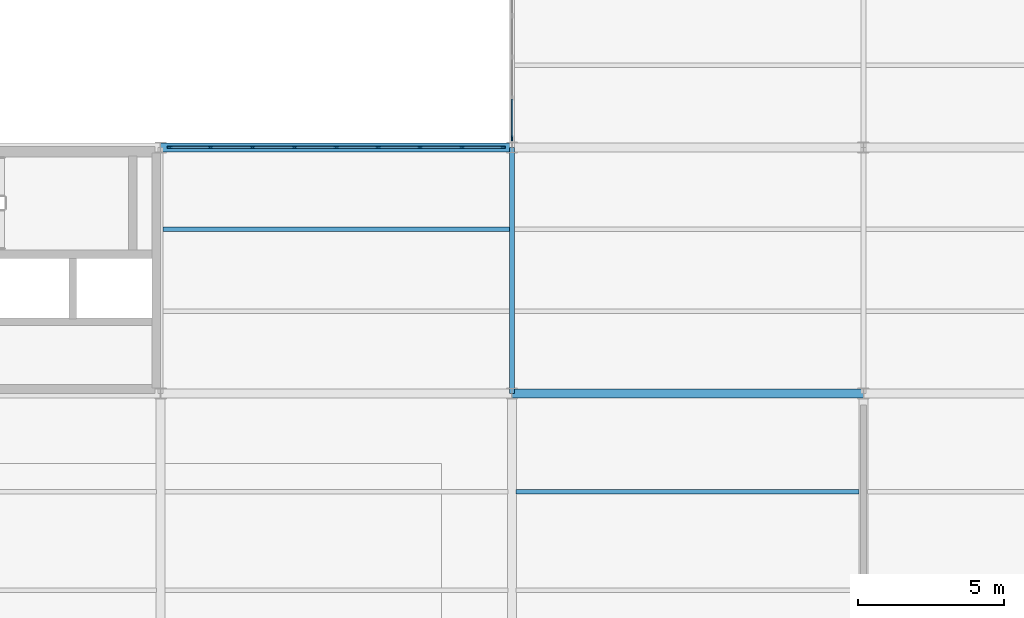
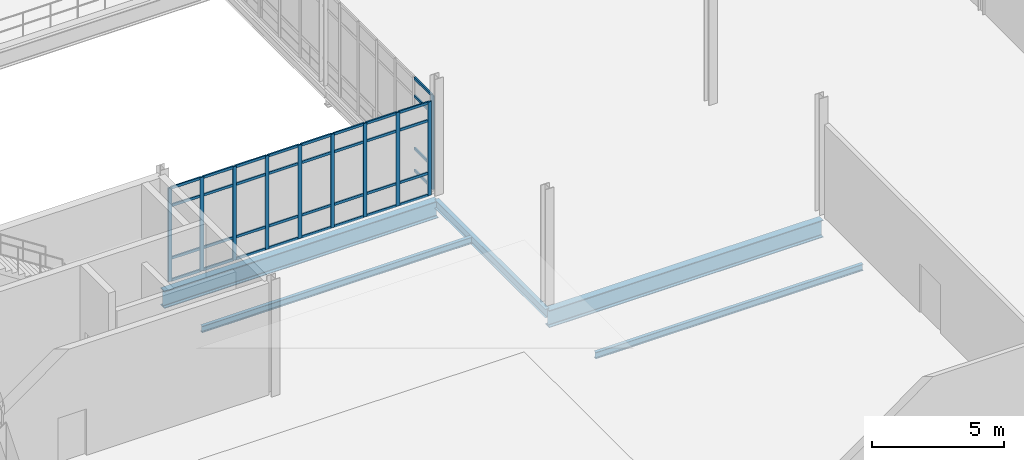
# One storey, part 65 of 111: 46 members, 5 beams, 2 elements without a shape of their own.
"""IFC4 building model written with IfcOpenShell, lengths in metres."""

import ifcopenshell
import ifcopenshell.guid

model = None  # the IFC model being written
_history = None  # IfcOwnerHistory: only IFC2X3 demands one
_inside = {}  # id of a spatial element -> (the spatial element, [elements in it])
_under = {}  # id of a project, library or spatial element -> (it, [spatial elements below it])
_declared = {}  # id of a project -> (the project, [libraries it declares])
_typed = {}  # id of a type object -> (the type object, [elements of that type])
_made_of = {}  # id of a material, layer set ... -> (it, [elements and type objects made of it])


def new_model(schema):
    """Start an empty IFC model of exactly this schema.

    Asked for "IFC4X3", IfcOpenShell would pick the latest addendum, in which some entities
    have other attributes; the version numbers below select the first issue.
    IFC2X3 requires an IfcOwnerHistory on every rooted entity: one is made here for all.
    """
    global model, _history
    if schema == "IFC4X3":
        model = ifcopenshell.file(schema_version=(4, 3, 0, 0))
    else:
        model = ifcopenshell.file(schema=schema)
    _inside.clear()
    _under.clear()
    _declared.clear()
    _typed.clear()
    _made_of.clear()
    _history = None
    if model.schema == "IFC2X3":
        org = make("IfcOrganization", Name="unknown")
        user = make(
            "IfcPersonAndOrganization",
            ThePerson=make("IfcPerson", FamilyName="unknown"),
            TheOrganization=org,
        )
        app = make(
            "IfcApplication",
            ApplicationDeveloper=org,
            Version="unknown",
            ApplicationFullName="unknown",
            ApplicationIdentifier="unknown",
        )
        _history = make(
            "IfcOwnerHistory",
            OwningUser=user,
            OwningApplication=app,
            ChangeAction="ADDED",
            CreationDate=0,
        )
    return model


def make(cls, **values):
    """One entity of the class cls with the attributes given. An attribute that is None is left unset."""
    return model.create_entity(
        cls, **{name: value for name, value in values.items() if value is not None}
    )


def rooted(cls, **values):
    """An entity with a GlobalId (a new one), such as an element, a storey or a relation."""
    return make(cls, GlobalId=ifcopenshell.guid.new(), OwnerHistory=_history, **values)


def si_unit(unit_type, name, prefix=None):
    """IfcSIUnit, for example si_unit("LENGTHUNIT", "METRE", prefix="MILLI")."""
    return make("IfcSIUnit", UnitType=unit_type, Prefix=prefix, Name=name)


def assignment(units):
    """IfcUnitAssignment: the units of a project."""
    return None if units is None else make("IfcUnitAssignment", Units=units)


def point(xyz):
    """IfcCartesianPoint."""
    return None if xyz is None else make("IfcCartesianPoint", Coordinates=xyz)


def direction(xyz):
    """IfcDirection."""
    return None if xyz is None else make("IfcDirection", DirectionRatios=xyz)


def frame(location, z_axis=None, x_axis=None):
    """IfcAxis2Placement3D, a coordinate frame: its origin and axes. An axis left out is left unset."""
    return make(
        "IfcAxis2Placement3D",
        Location=point(location),
        Axis=direction(z_axis),
        RefDirection=direction(x_axis),
    )


def frame_2d(location, x_axis=None):
    """IfcAxis2Placement2D, a coordinate frame in the plane: its origin and x axis."""
    return make(
        "IfcAxis2Placement2D", Location=point(location), RefDirection=direction(x_axis)
    )


def origin():
    """The frame at (0, 0, 0) with its axes left unset."""
    return frame((0.0, 0.0, 0.0))


def origin_2d():
    """The frame at (0, 0) in the plane with its x axis left unset."""
    return frame_2d((0.0, 0.0))


def place(relative_to, where):
    """IfcLocalPlacement: puts the frame where relative to a parent placement (None: the world)."""
    return make(
        "IfcLocalPlacement", PlacementRelTo=relative_to, RelativePlacement=where
    )


def context(
    kind, dimensions, precision=None, world=None, true_north=None, identifier=None
):
    """IfcGeometricRepresentationContext, for example the 3D "Model" context."""
    return make(
        "IfcGeometricRepresentationContext",
        ContextIdentifier=identifier,
        ContextType=kind,
        CoordinateSpaceDimension=dimensions,
        Precision=precision,
        WorldCoordinateSystem=world,
        TrueNorth=true_north,
    )


def subcontext(parent, identifier, kind, view, scale=None):
    """IfcGeometricRepresentationSubContext, for example "Body" below "Model"."""
    return make(
        "IfcGeometricRepresentationSubContext",
        ContextIdentifier=identifier,
        ContextType=kind,
        ParentContext=parent,
        TargetScale=scale,
        TargetView=view,
    )


def project(units=None, contexts=None):
    """IfcProject with its units and contexts."""
    return rooted(
        "IfcProject",
        Name="project",
        RepresentationContexts=contexts,
        UnitsInContext=assignment(units),
    )


def spatial(cls, under=None, at=None, **own):
    """A site, building, storey or space (cls), placed at a placement, below another one or the project."""
    s = rooted(cls, ObjectPlacement=at, **own)
    if under is not None:
        _under.setdefault(under.id(), (under, []))[1].append(s)
    return s


def profile(cls, at=None, kind="AREA", **sizes):
    """A parametric profile (cls). Its sizes go by their IFC names, for example OverallWidth=200.0."""
    return make(cls, ProfileType=kind, Position=at, **sizes)


def rectangle(**sizes):
    """IfcRectangleProfileDef."""
    return profile("IfcRectangleProfileDef", **sizes)


def i_section(**sizes):
    """IfcIShapeProfileDef."""
    return profile("IfcIShapeProfileDef", **sizes)


def extrude(swept, where, along, depth):
    """IfcExtrudedAreaSolid: the profile swept, set in the frame where, extruded along a direction by depth."""
    return make(
        "IfcExtrudedAreaSolid",
        SweptArea=swept,
        Position=where,
        ExtrudedDirection=direction(along),
        Depth=depth,
    )


def shape(context_of_items, identifier, shape_type, items):
    """IfcShapeRepresentation: the items that make up one representation, for example the "Body"."""
    return make(
        "IfcShapeRepresentation",
        ContextOfItems=context_of_items,
        RepresentationIdentifier=identifier,
        RepresentationType=shape_type,
        Items=items,
    )


def material(Name=None, Category=None):
    """IfcMaterial."""
    return make("IfcMaterial", Name=Name, Category=Category)


def layer(
    of_material, thickness, ventilated=None, Name=None, Category=None, Priority=None
):
    """IfcMaterialLayer: one layer of a wall or slab, of a material (None: an air gap)."""
    return make(
        "IfcMaterialLayer",
        Material=of_material,
        LayerThickness=thickness,
        IsVentilated=ventilated,
        Name=Name,
        Category=Category,
        Priority=Priority,
    )


def layer_set(layers, Name=None):
    """IfcMaterialLayerSet."""
    return make("IfcMaterialLayerSet", MaterialLayers=layers, LayerSetName=Name)


def material_profile(
    of_material, cross_section, Name=None, Category=None, Priority=None
):
    """IfcMaterialProfile: a cross section and its material."""
    return make(
        "IfcMaterialProfile",
        Name=Name,
        Material=of_material,
        Profile=cross_section,
        Priority=Priority,
        Category=Category,
    )


def profile_set(profiles, Name=None, composite=None):
    """IfcMaterialProfileSet."""
    return make(
        "IfcMaterialProfileSet",
        Name=Name,
        MaterialProfiles=profiles,
        CompositeProfile=composite,
    )


def made_of(thing, what):
    """Note that an element or type object is made of a material, layer set ...; save() writes the relation."""
    if what is not None:
        _made_of.setdefault(what.id(), (what, []))[1].append(thing)
    return thing


def type_object(cls, material=None, **own):
    """A type object (cls), such as IfcWallType, which elements share."""
    return made_of(rooted(cls, **own), material)


def element(
    cls,
    number,
    at=None,
    inside=None,
    cuts=None,
    type_object=None,
    material=None,
    context=None,
    identifier="Body",
    shape_type=None,
    held_by="IfcProductDefinitionShape",
    body=None,
    shapes=None,
    **own,
):
    """One element of the class cls, such as IfcWall. Its Tag is "e" and its number.

    at: its placement. inside: the storey or other place that contains it. cuts: it is an
    opening in that element (IfcRelVoidsElement). A single representation is given by context,
    identifier, shape_type and body (its items); several are given by shapes. held_by: the class
    of the entity that holds the representations. save() writes the other relations.
    """
    e = rooted(cls, Tag="e%d" % number, ObjectPlacement=at, **own)
    if body is not None:
        shapes = [shape(context, identifier, shape_type, body)]
    if shapes is not None:
        e.Representation = make(held_by, Representations=shapes)
    if inside is not None:
        _inside.setdefault(inside.id(), (inside, []))[1].append(e)
    if cuts is not None:
        rooted(
            "IfcRelVoidsElement", RelatingBuildingElement=cuts, RelatedOpeningElement=e
        )
    if type_object is not None:
        _typed.setdefault(type_object.id(), (type_object, []))[1].append(e)
    return made_of(e, material)


def aggregate(whole, parts):
    """IfcRelAggregates: a whole, such as a stair, and the parts it consists of."""
    return rooted("IfcRelAggregates", RelatingObject=whole, RelatedObjects=parts)


def save(model, path):
    """Write the relations noted so far, then the file.

    IfcRelAggregates (storeys below a building ...), IfcRelContainedInSpatialStructure (elements
    in a storey), IfcRelDefinesByType, IfcRelAssociatesMaterial and IfcRelDeclares: one each for
    every whole, place, type object, material and project.
    """
    for whole, parts in _under.values():
        aggregate(whole, parts)
    for where, things in _inside.values():
        rooted(
            "IfcRelContainedInSpatialStructure",
            RelatedElements=things,
            RelatingStructure=where,
        )
    for kind, things in _typed.values():
        rooted("IfcRelDefinesByType", RelatedObjects=things, RelatingType=kind)
    for what, things in _made_of.values():
        rooted("IfcRelAssociatesMaterial", RelatedObjects=things, RelatingMaterial=what)
    for by, libraries in _declared.values():
        rooted("IfcRelDeclares", RelatingContext=by, RelatedDefinitions=libraries)
    model.write(path)


model = new_model("IFC4")

# Units and contexts
model_context = context("Model", 3, precision=1e-05, world=origin(), true_north=direction((0.0, 1.0)))
body_context = subcontext(model_context, "Body", "Model", "MODEL_VIEW")
ifc_project = project(units=[si_unit("LENGTHUNIT", "METRE"), si_unit("AREAUNIT", "SQUARE_METRE"), si_unit("VOLUMEUNIT", "CUBIC_METRE"), si_unit("PLANEANGLEUNIT", "RADIAN"), si_unit("MASSUNIT", "GRAM", prefix="KILO"), si_unit("THERMODYNAMICTEMPERATUREUNIT", "KELVIN"), si_unit("POWERUNIT", "WATT")], contexts=[model_context])

# Site, building, storey
site_placement = place(None, origin())
site = spatial("IfcSite", under=ifc_project, at=site_placement, CompositionType="ELEMENT")
building_placement = place(site_placement, origin())
building = spatial("IfcBuilding", under=site, at=building_placement, Name="Tembeka Court Mobility Hub", CompositionType="ELEMENT")
storey_placement = place(building_placement, origin())
storey = spatial("IfcBuildingStorey", under=building, at=storey_placement, Name="L00", CompositionType="ELEMENT", Elevation=0.0)

# Beams
ifc_material_1 = material(Name="Steel S355", Category="steel")
ifc_material_profile_1 = material_profile(ifc_material_1, i_section(OverallWidth=0.177978515625, OverallDepth=0.406005859375, WebThickness=0.0078125, FlangeThickness=0.0126953125, FilletRadius=0.01025390625, at=origin_2d()), Name="UKB 406x178x60")
ifc_profile_set_1 = profile_set([ifc_material_profile_1], Name="Steel S355")
beam_type_1 = type_object("IfcBeamType", Name="BM-B02", PredefinedType="BEAM", material=ifc_profile_set_1)
beam_1_placement = place(storey_placement, frame((140.39990234375, 38.39990234375, -0.48291015625), z_axis=(0.0, 1.0, 0.0), x_axis=(-1.0, 0.0, 0.0)))
element("IfcBeam", 1, at=beam_1_placement, inside=storey, type_object=beam_type_1, Name="Beam B02 (BM-L00-Y0295)", PredefinedType="BEAM", context=body_context, shape_type="SweptSolid", body=[
    extrude(i_section(OverallWidth=0.177978515625, OverallDepth=0.406005859375, WebThickness=0.0078125, FlangeThickness=0.0126953125, FilletRadius=0.01025390625, at=origin_2d()), origin(), (0.0, 0.0, 1.0), 8.400146484375),
])
ifc_material_profile_2 = material_profile(ifc_material_1, i_section(OverallWidth=0.300048828125, OverallDepth=0.800048828125, WebThickness=0.017578125, FlangeThickness=0.034912109375, FilletRadius=0.030029296875, at=origin_2d()), Name="HEB 800")
ifc_profile_set_2 = profile_set([ifc_material_profile_2], Name="Steel S355")
beam_type_2 = type_object("IfcBeamType", Name="BM-G04", PredefinedType="USERDEFINED", material=ifc_profile_set_2)
for number, where, z_axis, x_axis, name in (
    (2, (140.39990234375, 38.39990234375, -0.679931640625), (1.0, 0.0, 0.0), (0.0, 1.0, 0.0), "Beam G04 (BM-L00-X0056)"),
    (3, (128.39990234375, 46.800048828125, -0.679931640625), (1.0, 0.0, 0.0), (0.0, 1.0, 0.0), "Beam G04 (BM-L00-X0071)"),
):
    element("IfcBeam", number, at=place(storey_placement, frame(where, z_axis=z_axis, x_axis=x_axis)), inside=storey, type_object=beam_type_2, Name=name, ObjectType="GIRDER", PredefinedType="USERDEFINED", context=body_context, shape_type="SweptSolid", body=[
        extrude(i_section(OverallWidth=0.300048828125, OverallDepth=0.800048828125, WebThickness=0.017578125, FlangeThickness=0.034912109375, FilletRadius=0.030029296875, at=origin_2d()), origin(), (0.0, 0.0, 1.0), 12.0),
    ])
ifc_material_profile_3 = material_profile(ifc_material_1, i_section(OverallWidth=0.14990234375, OverallDepth=0.300048828125, WebThickness=0.007080078125, FlangeThickness=0.0107421875, FilletRadius=0.014892578125, at=origin_2d()), Name="IPE 300")
ifc_profile_set_3 = profile_set([ifc_material_profile_3], Name="Steel S355")
beam_type_3 = type_object("IfcBeamType", Name="BM-J04", PredefinedType="JOIST", material=ifc_profile_set_3)
beam_2_placement = place(storey_placement, frame((128.48388671875, 44.0, -0.429931640625), z_axis=(1.0, 0.0, 0.0), x_axis=(0.0, 1.0, 0.0)))
element("IfcBeam", 4, at=beam_2_placement, inside=storey, type_object=beam_type_3, Name="Beam J04 (JST-L00-0546)", PredefinedType="JOIST", context=body_context, shape_type="SweptSolid", body=[
    extrude(i_section(OverallWidth=0.14990234375, OverallDepth=0.300048828125, WebThickness=0.007080078125, FlangeThickness=0.0107421875, FilletRadius=0.014892578125, at=origin_2d()), origin(), (0.0, 0.0, 1.0), 11.83203125),
])
beam_3_placement = place(storey_placement, frame((140.544921875, 35.0400390625, -0.429931640625), z_axis=(1.0, 0.0, 0.0), x_axis=(0.0, 1.0, 0.0)))
element("IfcBeam", 5, at=beam_3_placement, inside=storey, type_object=beam_type_3, Name="Beam J04 (JST-L00-0559)", PredefinedType="JOIST", context=body_context, shape_type="SweptSolid", body=[
    extrude(i_section(OverallWidth=0.14990234375, OverallDepth=0.300048828125, WebThickness=0.007080078125, FlangeThickness=0.0107421875, FilletRadius=0.014892578125, at=origin_2d()), origin(), (0.0, 0.0, 1.0), 11.7099609375),
])

# Curtain wall, members
ifc_material_2 = material(Name="Anodised aluminium 6063-T6", Category="aluminium")
ifc_layer_1 = layer(ifc_material_2, 0.159912109375)
ifc_layer_set_1 = layer_set([ifc_layer_1], Name="Anodised aluminium 6063-T6")
curtain_wall_type_1 = type_object("IfcCurtainWallType", Name="CW-SYS33", PredefinedType="USERDEFINED", material=ifc_layer_set_1)
curtain_wall_1_placement = place(storey_placement, origin())
curtain_wall_1 = element("IfcCurtainWall", 6, at=curtain_wall_1_placement, inside=storey, type_object=curtain_wall_type_1, Name="Unitised curtain wall CW33 (CW-L00-101)", ObjectType="UNITISED GLAZING", PredefinedType="USERDEFINED")
ifc_material_profile_4 = material_profile(ifc_material_2, rectangle(XDim=0.06494140625, YDim=0.159912109375, at=origin_2d()), Name="ALU-MUL 65x160")
ifc_profile_set_4 = profile_set([ifc_material_profile_4], Name="Anodised aluminium 6063-T6")
member_type_1 = type_object("IfcMemberType", Name="CW-MUL01", PredefinedType="MULLION", material=ifc_profile_set_4)
member_1_placement = place(storey_placement, frame((128.71240234375, 46.800048828125, 0.0), z_axis=(0.0, 0.0, 1.0), x_axis=(0.0, 1.0, 0.0)))
member_1 = element("IfcMember", 7, at=member_1_placement, type_object=member_type_1, Name="CW33 mullion 1", PredefinedType="MULLION", context=body_context, shape_type="SweptSolid", body=[
    extrude(rectangle(XDim=0.06494140625, YDim=0.159912109375, at=origin_2d()), origin(), (0.0, 0.0, 1.0), 4.3349609375),
])
member_2_placement = place(storey_placement, frame((130.110107421875, 46.800048828125, 0.0), z_axis=(0.0, 0.0, 1.0), x_axis=(0.0, 1.0, 0.0)))
member_2 = element("IfcMember", 8, at=member_2_placement, type_object=member_type_1, Name="CW33 mullion 2", PredefinedType="MULLION", context=body_context, shape_type="SweptSolid", body=[
    extrude(rectangle(XDim=0.06494140625, YDim=0.159912109375, at=origin_2d()), origin(), (0.0, 0.0, 1.0), 4.3349609375),
])
member_3_placement = place(storey_placement, frame((131.5400390625, 46.800048828125, 0.0), z_axis=(0.0, 0.0, 1.0), x_axis=(0.0, 1.0, 0.0)))
member_3 = element("IfcMember", 9, at=member_3_placement, type_object=member_type_1, Name="CW33 mullion 3", PredefinedType="MULLION", context=body_context, shape_type="SweptSolid", body=[
    extrude(rectangle(XDim=0.06494140625, YDim=0.159912109375, at=origin_2d()), origin(), (0.0, 0.0, 1.0), 4.3349609375),
])
member_4_placement = place(storey_placement, frame((132.969970703125, 46.800048828125, 0.0), z_axis=(0.0, 0.0, 1.0), x_axis=(0.0, 1.0, 0.0)))
member_4 = element("IfcMember", 10, at=member_4_placement, type_object=member_type_1, Name="CW33 mullion 4", PredefinedType="MULLION", context=body_context, shape_type="SweptSolid", body=[
    extrude(rectangle(XDim=0.06494140625, YDim=0.159912109375, at=origin_2d()), origin(), (0.0, 0.0, 1.0), 4.3349609375),
])
member_5_placement = place(storey_placement, frame((134.39990234375, 46.800048828125, 0.0), z_axis=(0.0, 0.0, 1.0), x_axis=(0.0, 1.0, 0.0)))
member_5 = element("IfcMember", 11, at=member_5_placement, type_object=member_type_1, Name="CW33 mullion 5", PredefinedType="MULLION", context=body_context, shape_type="SweptSolid", body=[
    extrude(rectangle(XDim=0.06494140625, YDim=0.159912109375, at=origin_2d()), origin(), (0.0, 0.0, 1.0), 4.3349609375),
])
member_6_placement = place(storey_placement, frame((135.830078125, 46.800048828125, 0.0), z_axis=(0.0, 0.0, 1.0), x_axis=(0.0, 1.0, 0.0)))
member_6 = element("IfcMember", 12, at=member_6_placement, type_object=member_type_1, Name="CW33 mullion 6", PredefinedType="MULLION", context=body_context, shape_type="SweptSolid", body=[
    extrude(rectangle(XDim=0.06494140625, YDim=0.159912109375, at=origin_2d()), origin(), (0.0, 0.0, 1.0), 4.3349609375),
])
member_7_placement = place(storey_placement, frame((137.260009765625, 46.800048828125, 0.0), z_axis=(0.0, 0.0, 1.0), x_axis=(0.0, 1.0, 0.0)))
member_7 = element("IfcMember", 13, at=member_7_placement, type_object=member_type_1, Name="CW33 mullion 7", PredefinedType="MULLION", context=body_context, shape_type="SweptSolid", body=[
    extrude(rectangle(XDim=0.06494140625, YDim=0.159912109375, at=origin_2d()), origin(), (0.0, 0.0, 1.0), 4.3349609375),
])
member_8_placement = place(storey_placement, frame((138.68994140625, 46.800048828125, 0.0), z_axis=(0.0, 0.0, 1.0), x_axis=(0.0, 1.0, 0.0)))
member_8 = element("IfcMember", 14, at=member_8_placement, type_object=member_type_1, Name="CW33 mullion 8", PredefinedType="MULLION", context=body_context, shape_type="SweptSolid", body=[
    extrude(rectangle(XDim=0.06494140625, YDim=0.159912109375, at=origin_2d()), origin(), (0.0, 0.0, 1.0), 4.3349609375),
])
member_9_placement = place(storey_placement, frame((140.08740234375, 46.800048828125, 0.0), z_axis=(0.0, 0.0, 1.0), x_axis=(0.0, 1.0, 0.0)))
member_9 = element("IfcMember", 15, at=member_9_placement, type_object=member_type_1, Name="CW33 mullion 9", PredefinedType="MULLION", context=body_context, shape_type="SweptSolid", body=[
    extrude(rectangle(XDim=0.06494140625, YDim=0.159912109375, at=origin_2d()), origin(), (0.0, 0.0, 1.0), 4.3349609375),
])

# Curtain wall, member
ifc_layer_2 = layer(ifc_material_2, 0.159912109375)
ifc_layer_set_2 = layer_set([ifc_layer_2], Name="Anodised aluminium 6063-T6")
curtain_wall_type_2 = type_object("IfcCurtainWallType", Name="CW-SYS34", PredefinedType="USERDEFINED", material=ifc_layer_set_2)
curtain_wall_2_placement = place(storey_placement, origin())
curtain_wall_2 = element("IfcCurtainWall", 16, at=curtain_wall_2_placement, inside=storey, type_object=curtain_wall_type_2, Name="Unitised curtain wall CW34 (CW-L00-102)", ObjectType="UNITISED GLAZING", PredefinedType="USERDEFINED")
member_10_placement = place(storey_placement, frame((140.39990234375, 47.112548828125, 0.0), z_axis=(0.0, 0.0, 1.0), x_axis=(-1.0, 0.0, 0.0)))
member_10 = element("IfcMember", 17, at=member_10_placement, type_object=member_type_1, Name="CW34 mullion 1", PredefinedType="MULLION", context=body_context, shape_type="SweptSolid", body=[
    extrude(rectangle(XDim=0.06494140625, YDim=0.159912109375, at=origin_2d()), origin(), (0.0, 0.0, 1.0), 4.3349609375),
])

# Member
ifc_material_profile_5 = material_profile(ifc_material_2, rectangle(XDim=0.06494140625, YDim=0.1201171875, at=origin_2d()), Name="ALU-TRN 65x120")
ifc_profile_set_5 = profile_set([ifc_material_profile_5], Name="Anodised aluminium 6063-T6")
member_type_2 = type_object("IfcMemberType", Name="CW-TRN01", PredefinedType="USERDEFINED", material=ifc_profile_set_5)
member_11_placement = place(storey_placement, frame((128.7451171875, 46.800048828125, 0.032470703125), z_axis=(1.0, 0.0, 0.0), x_axis=(0.0, 1.0, 0.0)))
member_11 = element("IfcMember", 18, at=member_11_placement, type_object=member_type_2, Name="CW33 transom 1.1", ObjectType="TRANSOM", PredefinedType="USERDEFINED", context=body_context, shape_type="SweptSolid", body=[
    extrude(rectangle(XDim=0.06494140625, YDim=0.1201171875, at=origin_2d()), origin(), (0.0, 0.0, 1.0), 1.332275390625),
])

member_12_placement = place(storey_placement, frame((128.7451171875, 46.800048828125, 1.050048828125), z_axis=(1.0, 0.0, 0.0), x_axis=(0.0, 1.0, 0.0)))
member_12 = element("IfcMember", 19, at=member_12_placement, type_object=member_type_2, Name="CW33 transom 1.2", ObjectType="TRANSOM", PredefinedType="USERDEFINED", context=body_context, shape_type="SweptSolid", body=[
    extrude(rectangle(XDim=0.06494140625, YDim=0.1201171875, at=origin_2d()), origin(), (0.0, 0.0, 1.0), 1.332275390625),
])

member_13_placement = place(storey_placement, frame((128.7451171875, 46.800048828125, 3.485107421875), z_axis=(1.0, 0.0, 0.0), x_axis=(0.0, 1.0, 0.0)))
member_13 = element("IfcMember", 20, at=member_13_placement, type_object=member_type_2, Name="CW33 transom 1.3", ObjectType="TRANSOM", PredefinedType="USERDEFINED", context=body_context, shape_type="SweptSolid", body=[
    extrude(rectangle(XDim=0.06494140625, YDim=0.1201171875, at=origin_2d()), origin(), (0.0, 0.0, 1.0), 1.332275390625),
])

member_14_placement = place(storey_placement, frame((128.7451171875, 46.800048828125, 4.302490234375), z_axis=(1.0, 0.0, 0.0), x_axis=(0.0, 1.0, 0.0)))
member_14 = element("IfcMember", 21, at=member_14_placement, type_object=member_type_2, Name="CW33 transom 1.4", ObjectType="TRANSOM", PredefinedType="USERDEFINED", context=body_context, shape_type="SweptSolid", body=[
    extrude(rectangle(XDim=0.06494140625, YDim=0.1201171875, at=origin_2d()), origin(), (0.0, 0.0, 1.0), 1.332275390625),
])

member_15_placement = place(storey_placement, frame((130.142578125, 46.800048828125, 0.032470703125), z_axis=(1.0, 0.0, 0.0), x_axis=(0.0, 1.0, 0.0)))
member_15 = element("IfcMember", 22, at=member_15_placement, type_object=member_type_2, Name="CW33 transom 2.1", ObjectType="TRANSOM", PredefinedType="USERDEFINED", context=body_context, shape_type="SweptSolid", body=[
    extrude(rectangle(XDim=0.06494140625, YDim=0.1201171875, at=origin_2d()), origin(), (0.0, 0.0, 1.0), 1.364990234375),
])

member_16_placement = place(storey_placement, frame((130.142578125, 46.800048828125, 1.050048828125), z_axis=(1.0, 0.0, 0.0), x_axis=(0.0, 1.0, 0.0)))
member_16 = element("IfcMember", 23, at=member_16_placement, type_object=member_type_2, Name="CW33 transom 2.2", ObjectType="TRANSOM", PredefinedType="USERDEFINED", context=body_context, shape_type="SweptSolid", body=[
    extrude(rectangle(XDim=0.06494140625, YDim=0.1201171875, at=origin_2d()), origin(), (0.0, 0.0, 1.0), 1.364990234375),
])

member_17_placement = place(storey_placement, frame((130.142578125, 46.800048828125, 3.485107421875), z_axis=(1.0, 0.0, 0.0), x_axis=(0.0, 1.0, 0.0)))
member_17 = element("IfcMember", 24, at=member_17_placement, type_object=member_type_2, Name="CW33 transom 2.3", ObjectType="TRANSOM", PredefinedType="USERDEFINED", context=body_context, shape_type="SweptSolid", body=[
    extrude(rectangle(XDim=0.06494140625, YDim=0.1201171875, at=origin_2d()), origin(), (0.0, 0.0, 1.0), 1.364990234375),
])

member_18_placement = place(storey_placement, frame((130.142578125, 46.800048828125, 4.302490234375), z_axis=(1.0, 0.0, 0.0), x_axis=(0.0, 1.0, 0.0)))
member_18 = element("IfcMember", 25, at=member_18_placement, type_object=member_type_2, Name="CW33 transom 2.4", ObjectType="TRANSOM", PredefinedType="USERDEFINED", context=body_context, shape_type="SweptSolid", body=[
    extrude(rectangle(XDim=0.06494140625, YDim=0.1201171875, at=origin_2d()), origin(), (0.0, 0.0, 1.0), 1.364990234375),
])

member_19_placement = place(storey_placement, frame((131.572509765625, 46.800048828125, 0.032470703125), z_axis=(1.0, 0.0, 0.0), x_axis=(0.0, 1.0, 0.0)))
member_19 = element("IfcMember", 26, at=member_19_placement, type_object=member_type_2, Name="CW33 transom 3.1", ObjectType="TRANSOM", PredefinedType="USERDEFINED", context=body_context, shape_type="SweptSolid", body=[
    extrude(rectangle(XDim=0.06494140625, YDim=0.1201171875, at=origin_2d()), origin(), (0.0, 0.0, 1.0), 1.364990234375),
])

member_20_placement = place(storey_placement, frame((131.572509765625, 46.800048828125, 1.050048828125), z_axis=(1.0, 0.0, 0.0), x_axis=(0.0, 1.0, 0.0)))
member_20 = element("IfcMember", 27, at=member_20_placement, type_object=member_type_2, Name="CW33 transom 3.2", ObjectType="TRANSOM", PredefinedType="USERDEFINED", context=body_context, shape_type="SweptSolid", body=[
    extrude(rectangle(XDim=0.06494140625, YDim=0.1201171875, at=origin_2d()), origin(), (0.0, 0.0, 1.0), 1.364990234375),
])

member_21_placement = place(storey_placement, frame((131.572509765625, 46.800048828125, 3.485107421875), z_axis=(1.0, 0.0, 0.0), x_axis=(0.0, 1.0, 0.0)))
member_21 = element("IfcMember", 28, at=member_21_placement, type_object=member_type_2, Name="CW33 transom 3.3", ObjectType="TRANSOM", PredefinedType="USERDEFINED", context=body_context, shape_type="SweptSolid", body=[
    extrude(rectangle(XDim=0.06494140625, YDim=0.1201171875, at=origin_2d()), origin(), (0.0, 0.0, 1.0), 1.364990234375),
])

member_22_placement = place(storey_placement, frame((131.572509765625, 46.800048828125, 4.302490234375), z_axis=(1.0, 0.0, 0.0), x_axis=(0.0, 1.0, 0.0)))
member_22 = element("IfcMember", 29, at=member_22_placement, type_object=member_type_2, Name="CW33 transom 3.4", ObjectType="TRANSOM", PredefinedType="USERDEFINED", context=body_context, shape_type="SweptSolid", body=[
    extrude(rectangle(XDim=0.06494140625, YDim=0.1201171875, at=origin_2d()), origin(), (0.0, 0.0, 1.0), 1.364990234375),
])

member_23_placement = place(storey_placement, frame((133.00244140625, 46.800048828125, 0.032470703125), z_axis=(1.0, 0.0, 0.0), x_axis=(0.0, 1.0, 0.0)))
member_23 = element("IfcMember", 30, at=member_23_placement, type_object=member_type_2, Name="CW33 transom 4.1", ObjectType="TRANSOM", PredefinedType="USERDEFINED", context=body_context, shape_type="SweptSolid", body=[
    extrude(rectangle(XDim=0.06494140625, YDim=0.1201171875, at=origin_2d()), origin(), (0.0, 0.0, 1.0), 1.364990234375),
])

member_24_placement = place(storey_placement, frame((133.00244140625, 46.800048828125, 1.050048828125), z_axis=(1.0, 0.0, 0.0), x_axis=(0.0, 1.0, 0.0)))
member_24 = element("IfcMember", 31, at=member_24_placement, type_object=member_type_2, Name="CW33 transom 4.2", ObjectType="TRANSOM", PredefinedType="USERDEFINED", context=body_context, shape_type="SweptSolid", body=[
    extrude(rectangle(XDim=0.06494140625, YDim=0.1201171875, at=origin_2d()), origin(), (0.0, 0.0, 1.0), 1.364990234375),
])

member_25_placement = place(storey_placement, frame((133.00244140625, 46.800048828125, 3.485107421875), z_axis=(1.0, 0.0, 0.0), x_axis=(0.0, 1.0, 0.0)))
member_25 = element("IfcMember", 32, at=member_25_placement, type_object=member_type_2, Name="CW33 transom 4.3", ObjectType="TRANSOM", PredefinedType="USERDEFINED", context=body_context, shape_type="SweptSolid", body=[
    extrude(rectangle(XDim=0.06494140625, YDim=0.1201171875, at=origin_2d()), origin(), (0.0, 0.0, 1.0), 1.364990234375),
])

member_26_placement = place(storey_placement, frame((133.00244140625, 46.800048828125, 4.302490234375), z_axis=(1.0, 0.0, 0.0), x_axis=(0.0, 1.0, 0.0)))
member_26 = element("IfcMember", 33, at=member_26_placement, type_object=member_type_2, Name="CW33 transom 4.4", ObjectType="TRANSOM", PredefinedType="USERDEFINED", context=body_context, shape_type="SweptSolid", body=[
    extrude(rectangle(XDim=0.06494140625, YDim=0.1201171875, at=origin_2d()), origin(), (0.0, 0.0, 1.0), 1.364990234375),
])

member_27_placement = place(storey_placement, frame((134.4326171875, 46.800048828125, 0.032470703125), z_axis=(1.0, 0.0, 0.0), x_axis=(0.0, 1.0, 0.0)))
member_27 = element("IfcMember", 34, at=member_27_placement, type_object=member_type_2, Name="CW33 transom 5.1", ObjectType="TRANSOM", PredefinedType="USERDEFINED", context=body_context, shape_type="SweptSolid", body=[
    extrude(rectangle(XDim=0.06494140625, YDim=0.1201171875, at=origin_2d()), origin(), (0.0, 0.0, 1.0), 1.364990234375),
])

member_28_placement = place(storey_placement, frame((134.4326171875, 46.800048828125, 1.050048828125), z_axis=(1.0, 0.0, 0.0), x_axis=(0.0, 1.0, 0.0)))
member_28 = element("IfcMember", 35, at=member_28_placement, type_object=member_type_2, Name="CW33 transom 5.2", ObjectType="TRANSOM", PredefinedType="USERDEFINED", context=body_context, shape_type="SweptSolid", body=[
    extrude(rectangle(XDim=0.06494140625, YDim=0.1201171875, at=origin_2d()), origin(), (0.0, 0.0, 1.0), 1.364990234375),
])

member_29_placement = place(storey_placement, frame((134.4326171875, 46.800048828125, 3.485107421875), z_axis=(1.0, 0.0, 0.0), x_axis=(0.0, 1.0, 0.0)))
member_29 = element("IfcMember", 36, at=member_29_placement, type_object=member_type_2, Name="CW33 transom 5.3", ObjectType="TRANSOM", PredefinedType="USERDEFINED", context=body_context, shape_type="SweptSolid", body=[
    extrude(rectangle(XDim=0.06494140625, YDim=0.1201171875, at=origin_2d()), origin(), (0.0, 0.0, 1.0), 1.364990234375),
])

member_30_placement = place(storey_placement, frame((134.4326171875, 46.800048828125, 4.302490234375), z_axis=(1.0, 0.0, 0.0), x_axis=(0.0, 1.0, 0.0)))
member_30 = element("IfcMember", 37, at=member_30_placement, type_object=member_type_2, Name="CW33 transom 5.4", ObjectType="TRANSOM", PredefinedType="USERDEFINED", context=body_context, shape_type="SweptSolid", body=[
    extrude(rectangle(XDim=0.06494140625, YDim=0.1201171875, at=origin_2d()), origin(), (0.0, 0.0, 1.0), 1.364990234375),
])

member_31_placement = place(storey_placement, frame((135.862548828125, 46.800048828125, 0.032470703125), z_axis=(1.0, 0.0, 0.0), x_axis=(0.0, 1.0, 0.0)))
member_31 = element("IfcMember", 38, at=member_31_placement, type_object=member_type_2, Name="CW33 transom 6.1", ObjectType="TRANSOM", PredefinedType="USERDEFINED", context=body_context, shape_type="SweptSolid", body=[
    extrude(rectangle(XDim=0.06494140625, YDim=0.1201171875, at=origin_2d()), origin(), (0.0, 0.0, 1.0), 1.364990234375),
])

member_32_placement = place(storey_placement, frame((135.862548828125, 46.800048828125, 1.050048828125), z_axis=(1.0, 0.0, 0.0), x_axis=(0.0, 1.0, 0.0)))
member_32 = element("IfcMember", 39, at=member_32_placement, type_object=member_type_2, Name="CW33 transom 6.2", ObjectType="TRANSOM", PredefinedType="USERDEFINED", context=body_context, shape_type="SweptSolid", body=[
    extrude(rectangle(XDim=0.06494140625, YDim=0.1201171875, at=origin_2d()), origin(), (0.0, 0.0, 1.0), 1.364990234375),
])

member_33_placement = place(storey_placement, frame((135.862548828125, 46.800048828125, 3.485107421875), z_axis=(1.0, 0.0, 0.0), x_axis=(0.0, 1.0, 0.0)))
member_33 = element("IfcMember", 40, at=member_33_placement, type_object=member_type_2, Name="CW33 transom 6.3", ObjectType="TRANSOM", PredefinedType="USERDEFINED", context=body_context, shape_type="SweptSolid", body=[
    extrude(rectangle(XDim=0.06494140625, YDim=0.1201171875, at=origin_2d()), origin(), (0.0, 0.0, 1.0), 1.364990234375),
])

member_34_placement = place(storey_placement, frame((135.862548828125, 46.800048828125, 4.302490234375), z_axis=(1.0, 0.0, 0.0), x_axis=(0.0, 1.0, 0.0)))
member_34 = element("IfcMember", 41, at=member_34_placement, type_object=member_type_2, Name="CW33 transom 6.4", ObjectType="TRANSOM", PredefinedType="USERDEFINED", context=body_context, shape_type="SweptSolid", body=[
    extrude(rectangle(XDim=0.06494140625, YDim=0.1201171875, at=origin_2d()), origin(), (0.0, 0.0, 1.0), 1.364990234375),
])

member_35_placement = place(storey_placement, frame((137.29248046875, 46.800048828125, 0.032470703125), z_axis=(1.0, 0.0, 0.0), x_axis=(0.0, 1.0, 0.0)))
member_35 = element("IfcMember", 42, at=member_35_placement, type_object=member_type_2, Name="CW33 transom 7.1", ObjectType="TRANSOM", PredefinedType="USERDEFINED", context=body_context, shape_type="SweptSolid", body=[
    extrude(rectangle(XDim=0.06494140625, YDim=0.1201171875, at=origin_2d()), origin(), (0.0, 0.0, 1.0), 1.364990234375),
])

member_36_placement = place(storey_placement, frame((137.29248046875, 46.800048828125, 1.050048828125), z_axis=(1.0, 0.0, 0.0), x_axis=(0.0, 1.0, 0.0)))
member_36 = element("IfcMember", 43, at=member_36_placement, type_object=member_type_2, Name="CW33 transom 7.2", ObjectType="TRANSOM", PredefinedType="USERDEFINED", context=body_context, shape_type="SweptSolid", body=[
    extrude(rectangle(XDim=0.06494140625, YDim=0.1201171875, at=origin_2d()), origin(), (0.0, 0.0, 1.0), 1.364990234375),
])

member_37_placement = place(storey_placement, frame((137.29248046875, 46.800048828125, 3.485107421875), z_axis=(1.0, 0.0, 0.0), x_axis=(0.0, 1.0, 0.0)))
member_37 = element("IfcMember", 44, at=member_37_placement, type_object=member_type_2, Name="CW33 transom 7.3", ObjectType="TRANSOM", PredefinedType="USERDEFINED", context=body_context, shape_type="SweptSolid", body=[
    extrude(rectangle(XDim=0.06494140625, YDim=0.1201171875, at=origin_2d()), origin(), (0.0, 0.0, 1.0), 1.364990234375),
])

member_38_placement = place(storey_placement, frame((137.29248046875, 46.800048828125, 4.302490234375), z_axis=(1.0, 0.0, 0.0), x_axis=(0.0, 1.0, 0.0)))
member_38 = element("IfcMember", 45, at=member_38_placement, type_object=member_type_2, Name="CW33 transom 7.4", ObjectType="TRANSOM", PredefinedType="USERDEFINED", context=body_context, shape_type="SweptSolid", body=[
    extrude(rectangle(XDim=0.06494140625, YDim=0.1201171875, at=origin_2d()), origin(), (0.0, 0.0, 1.0), 1.364990234375),
])

member_39_placement = place(storey_placement, frame((138.722412109375, 46.800048828125, 0.032470703125), z_axis=(1.0, 0.0, 0.0), x_axis=(0.0, 1.0, 0.0)))
member_39 = element("IfcMember", 46, at=member_39_placement, type_object=member_type_2, Name="CW33 transom 8.1", ObjectType="TRANSOM", PredefinedType="USERDEFINED", context=body_context, shape_type="SweptSolid", body=[
    extrude(rectangle(XDim=0.06494140625, YDim=0.1201171875, at=origin_2d()), origin(), (0.0, 0.0, 1.0), 1.33251953125),
])

member_40_placement = place(storey_placement, frame((138.722412109375, 46.800048828125, 1.050048828125), z_axis=(1.0, 0.0, 0.0), x_axis=(0.0, 1.0, 0.0)))
member_40 = element("IfcMember", 47, at=member_40_placement, type_object=member_type_2, Name="CW33 transom 8.2", ObjectType="TRANSOM", PredefinedType="USERDEFINED", context=body_context, shape_type="SweptSolid", body=[
    extrude(rectangle(XDim=0.06494140625, YDim=0.1201171875, at=origin_2d()), origin(), (0.0, 0.0, 1.0), 1.33251953125),
])

member_41_placement = place(storey_placement, frame((138.722412109375, 46.800048828125, 3.485107421875), z_axis=(1.0, 0.0, 0.0), x_axis=(0.0, 1.0, 0.0)))
member_41 = element("IfcMember", 48, at=member_41_placement, type_object=member_type_2, Name="CW33 transom 8.3", ObjectType="TRANSOM", PredefinedType="USERDEFINED", context=body_context, shape_type="SweptSolid", body=[
    extrude(rectangle(XDim=0.06494140625, YDim=0.1201171875, at=origin_2d()), origin(), (0.0, 0.0, 1.0), 1.33251953125),
])

member_42_placement = place(storey_placement, frame((138.722412109375, 46.800048828125, 4.302490234375), z_axis=(1.0, 0.0, 0.0), x_axis=(0.0, 1.0, 0.0)))
member_42 = element("IfcMember", 49, at=member_42_placement, type_object=member_type_2, Name="CW33 transom 8.4", ObjectType="TRANSOM", PredefinedType="USERDEFINED", context=body_context, shape_type="SweptSolid", body=[
    extrude(rectangle(XDim=0.06494140625, YDim=0.1201171875, at=origin_2d()), origin(), (0.0, 0.0, 1.0), 1.33251953125),
])

aggregate(curtain_wall_1, [member_1, member_2, member_3, member_4, member_5, member_6, member_7, member_8, member_9, member_11, member_12, member_13, member_14, member_15, member_16, member_17, member_18, member_19, member_20, member_21, member_22, member_23, member_24, member_25, member_26, member_27, member_28, member_29, member_30, member_31, member_32, member_33, member_34, member_35, member_36, member_37, member_38, member_39, member_40, member_41, member_42])

member_43_placement = place(storey_placement, frame((140.39990234375, 47.14501953125, 0.032470703125), z_axis=(0.0, 1.0, 0.0), x_axis=(-1.0, 0.0, 0.0)))
member_43 = element("IfcMember", 50, at=member_43_placement, type_object=member_type_2, Name="CW34 transom 1.1", ObjectType="TRANSOM", PredefinedType="USERDEFINED", context=body_context, shape_type="SweptSolid", body=[
    extrude(rectangle(XDim=0.06494140625, YDim=0.1201171875, at=origin_2d()), origin(), (0.0, 0.0, 1.0), 1.30859375),
])

member_44_placement = place(storey_placement, frame((140.39990234375, 47.14501953125, 1.050048828125), z_axis=(0.0, 1.0, 0.0), x_axis=(-1.0, 0.0, 0.0)))
member_44 = element("IfcMember", 51, at=member_44_placement, type_object=member_type_2, Name="CW34 transom 1.2", ObjectType="TRANSOM", PredefinedType="USERDEFINED", context=body_context, shape_type="SweptSolid", body=[
    extrude(rectangle(XDim=0.06494140625, YDim=0.1201171875, at=origin_2d()), origin(), (0.0, 0.0, 1.0), 1.30859375),
])

member_45_placement = place(storey_placement, frame((140.39990234375, 47.14501953125, 3.485107421875), z_axis=(0.0, 1.0, 0.0), x_axis=(-1.0, 0.0, 0.0)))
member_45 = element("IfcMember", 52, at=member_45_placement, type_object=member_type_2, Name="CW34 transom 1.3", ObjectType="TRANSOM", PredefinedType="USERDEFINED", context=body_context, shape_type="SweptSolid", body=[
    extrude(rectangle(XDim=0.06494140625, YDim=0.1201171875, at=origin_2d()), origin(), (0.0, 0.0, 1.0), 1.30859375),
])

member_46_placement = place(storey_placement, frame((140.39990234375, 47.14501953125, 4.302490234375), z_axis=(0.0, 1.0, 0.0), x_axis=(-1.0, 0.0, 0.0)))
member_46 = element("IfcMember", 53, at=member_46_placement, type_object=member_type_2, Name="CW34 transom 1.4", ObjectType="TRANSOM", PredefinedType="USERDEFINED", context=body_context, shape_type="SweptSolid", body=[
    extrude(rectangle(XDim=0.06494140625, YDim=0.1201171875, at=origin_2d()), origin(), (0.0, 0.0, 1.0), 1.30859375),
])

aggregate(curtain_wall_2, [member_10, member_43, member_44, member_45, member_46])

save(model, "model.ifc")
